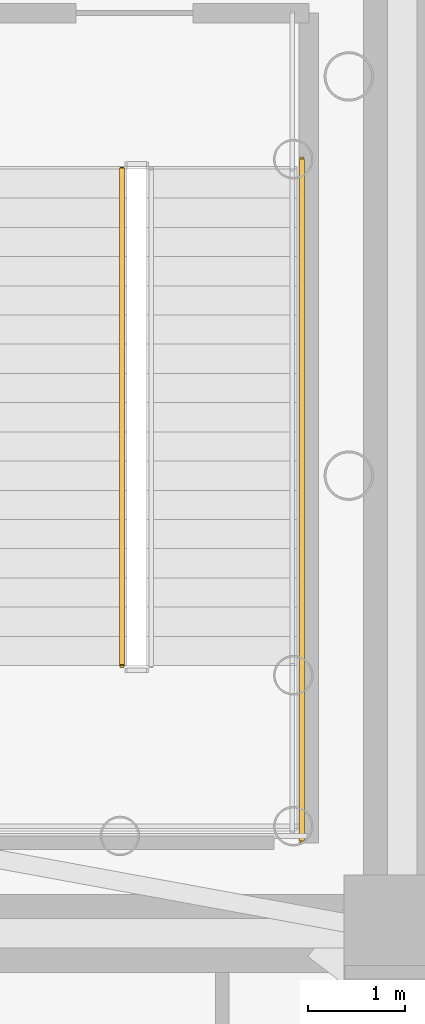
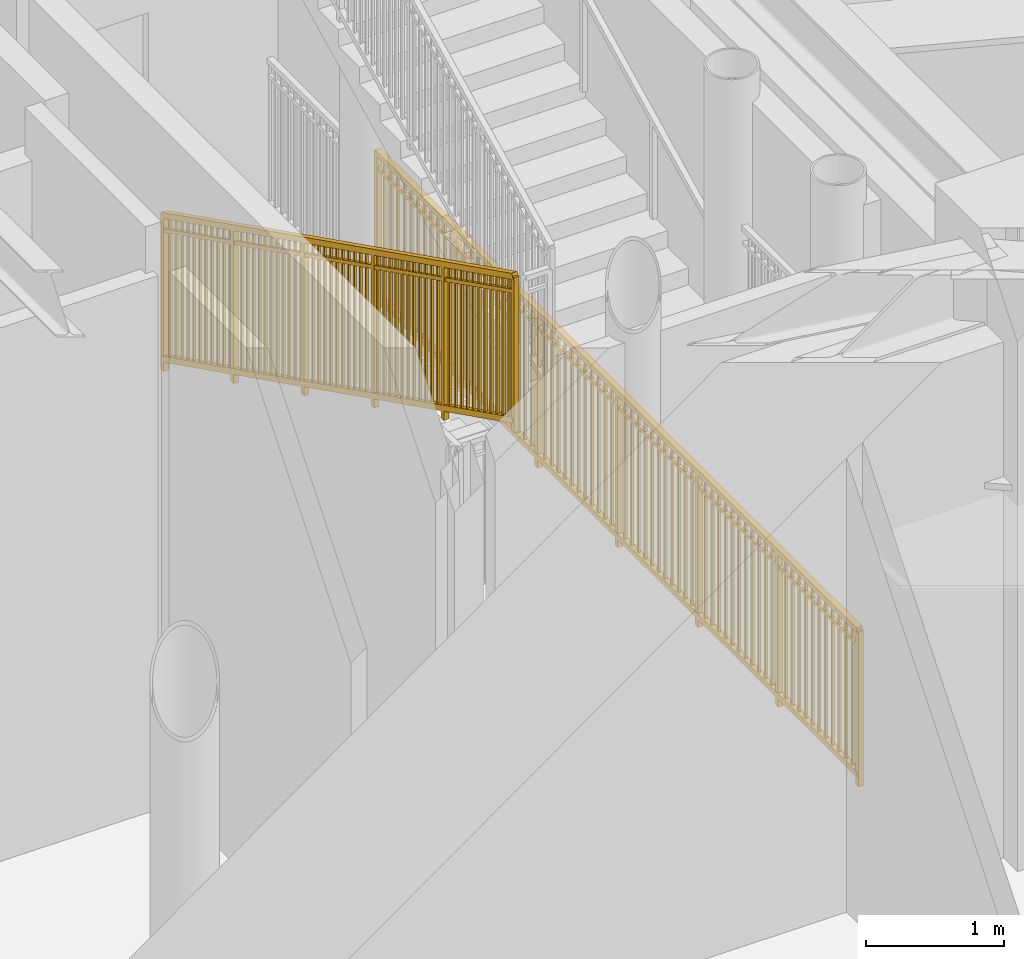
# One storey, part 19 of 20: 2 railings.
"""IFC4 building model written with IfcOpenShell, lengths in metres."""

from ifc_helpers import new_model, si_unit, direction, frame, origin, origin_2d, place, context, subcontext, project, spatial, rectangle, extrude, source, transform, mapped, material, type_object, element, save


model = new_model("IFC4")

# Units and contexts
model_context = context("Model", 3, precision=1e-05, world=origin(), true_north=direction((0.0, 1.0)))
body_context = subcontext(model_context, "Body", "Model", "MODEL_VIEW")
ifc_project = project(units=[si_unit("LENGTHUNIT", "METRE"), si_unit("AREAUNIT", "SQUARE_METRE"), si_unit("VOLUMEUNIT", "CUBIC_METRE"), si_unit("PLANEANGLEUNIT", "RADIAN"), si_unit("MASSUNIT", "GRAM", prefix="KILO")], contexts=[model_context])

# Site, building, storey
site_placement = place(None, origin())
site = spatial("IfcSite", under=ifc_project, at=site_placement, CompositionType="ELEMENT")
building_placement = place(site_placement, origin())
building = spatial("IfcBuilding", under=site, at=building_placement, Name="Linh Dai School and Residence Tower", CompositionType="ELEMENT")
storey_placement = place(building_placement, frame((0.0, 0.0, 204.89990234375)))
storey = spatial("IfcBuildingStorey", under=building, at=storey_placement, Name="L50", CompositionType="ELEMENT", Elevation=204.89990234375)

# Railings
ifc_material = material(Name="Structural Steel S355JR", Category="steel")
railing_type = type_object("IfcRailingType", Name="RL-ST-GUARD-1400", PredefinedType="GUARDRAIL", material=ifc_material)
shared_shape_1 = source(origin(), body_context, "Body", "SweptSolid", [
    extrude(rectangle(XDim=0.048095703125, YDim=0.048095703125, at=origin_2d()), frame((0.0, 0.0, 1.3759765625), z_axis=(0.0, -0.894427191, 0.4472135955), x_axis=(1.0, 0.0, 0.0)), (0.0, 0.0, 1.0), 5.7021484375),
    extrude(rectangle(XDim=0.048095703125, YDim=0.048095703125, at=origin_2d()), frame((0.0, 0.0, 0.10009765625), z_axis=(0.0, -0.894427191, 0.4472135955), x_axis=(1.0, 0.0, 0.0)), (0.0, 0.0, 1.0), 5.7021484375),
    extrude(rectangle(XDim=0.030029296875, YDim=0.030029296875, at=origin_2d()), frame((0.0, 0.0, 1.239990234375), z_axis=(0.0, -0.894427191, 0.4472135955), x_axis=(1.0, 0.0, 0.0)), (0.0, 0.0, 1.0), 5.7021484375),
    extrude(rectangle(XDim=0.02001953125, YDim=0.02001953125, at=origin_2d()), frame((0.0, -0.08642578125, 0.143310546875)), (0.0, 0.0, 1.0), 1.251708984375),
    extrude(rectangle(XDim=0.02001953125, YDim=0.02001953125, at=origin_2d()), frame((0.0, -0.1728515625, 0.1865234375)), (0.0, 0.0, 1.0), 1.251708984375),
    extrude(rectangle(XDim=0.02001953125, YDim=0.02001953125, at=origin_2d()), frame((0.0, -0.25927734375, 0.229736328125)), (0.0, 0.0, 1.0), 1.251708984375),
    extrude(rectangle(XDim=0.02001953125, YDim=0.02001953125, at=origin_2d()), frame((0.0, -0.345703125, 0.27294921875)), (0.0, 0.0, 1.0), 1.251708984375),
    extrude(rectangle(XDim=0.02001953125, YDim=0.02001953125, at=origin_2d()), frame((0.0, -0.43212890625, 0.316162109375)), (0.0, 0.0, 1.0), 1.251708984375),
    extrude(rectangle(XDim=0.02001953125, YDim=0.02001953125, at=origin_2d()), frame((0.0, -0.5185546875, 0.359375)), (0.0, 0.0, 1.0), 1.251708984375),
    extrude(rectangle(XDim=0.02001953125, YDim=0.02001953125, at=origin_2d()), frame((0.0, -0.60498046875, 0.402587890625)), (0.0, 0.0, 1.0), 1.251708984375),
    extrude(rectangle(XDim=0.02001953125, YDim=0.02001953125, at=origin_2d()), frame((0.0, -0.691650390625, 0.44580078125)), (0.0, 0.0, 1.0), 1.251708984375),
    extrude(rectangle(XDim=0.02001953125, YDim=0.02001953125, at=origin_2d()), frame((0.0, -0.778076171875, 0.489013671875)), (0.0, 0.0, 1.0), 1.251708984375),
    extrude(rectangle(XDim=0.02001953125, YDim=0.02001953125, at=origin_2d()), frame((0.0, -0.864501953125, 0.5322265625)), (0.0, 0.0, 1.0), 1.251708984375),
    extrude(rectangle(XDim=0.02001953125, YDim=0.02001953125, at=origin_2d()), frame((0.0, -0.950927734375, 0.575439453125)), (0.0, 0.0, 1.0), 1.251708984375),
    extrude(rectangle(XDim=0.02001953125, YDim=0.02001953125, at=origin_2d()), frame((0.0, -1.123779296875, 0.661865234375)), (0.0, 0.0, 1.0), 1.251708984375),
    extrude(rectangle(XDim=0.02001953125, YDim=0.02001953125, at=origin_2d()), frame((0.0, -1.210205078125, 0.705078125)), (0.0, 0.0, 1.0), 1.251708984375),
    extrude(rectangle(XDim=0.02001953125, YDim=0.02001953125, at=origin_2d()), frame((0.0, -1.296630859375, 0.74853515625)), (0.0, 0.0, 1.0), 1.251708984375),
    extrude(rectangle(XDim=0.02001953125, YDim=0.02001953125, at=origin_2d()), frame((0.0, -1.383056640625, 0.791748046875)), (0.0, 0.0, 1.0), 1.251708984375),
    extrude(rectangle(XDim=0.02001953125, YDim=0.02001953125, at=origin_2d()), frame((0.0, -1.469482421875, 0.8349609375)), (0.0, 0.0, 1.0), 1.251708984375),
    extrude(rectangle(XDim=0.02001953125, YDim=0.02001953125, at=origin_2d()), frame((0.0, -1.555908203125, 0.878173828125)), (0.0, 0.0, 1.0), 1.251708984375),
    extrude(rectangle(XDim=0.02001953125, YDim=0.02001953125, at=origin_2d()), frame((0.0, -1.642333984375, 0.92138671875)), (0.0, 0.0, 1.0), 1.251708984375),
    extrude(rectangle(XDim=0.02001953125, YDim=0.02001953125, at=origin_2d()), frame((0.0, -1.728759765625, 0.964599609375)), (0.0, 0.0, 1.0), 1.251708984375),
    extrude(rectangle(XDim=0.02001953125, YDim=0.02001953125, at=origin_2d()), frame((0.0, -1.815185546875, 1.0078125)), (0.0, 0.0, 1.0), 1.251708984375),
    extrude(rectangle(XDim=0.02001953125, YDim=0.02001953125, at=origin_2d()), frame((0.0, -1.901611328125, 1.051025390625)), (0.0, 0.0, 1.0), 1.251708984375),
    extrude(rectangle(XDim=0.02001953125, YDim=0.02001953125, at=origin_2d()), frame((0.0, -1.98828125, 1.09423828125)), (0.0, 0.0, 1.0), 1.251708984375),
    extrude(rectangle(XDim=0.02001953125, YDim=0.02001953125, at=origin_2d()), frame((0.0, -2.1611328125, 1.1806640625)), (0.0, 0.0, 1.0), 1.251708984375),
    extrude(rectangle(XDim=0.02001953125, YDim=0.02001953125, at=origin_2d()), frame((0.0, -2.24755859375, 1.223876953125)), (0.0, 0.0, 1.0), 1.251708984375),
    extrude(rectangle(XDim=0.02001953125, YDim=0.02001953125, at=origin_2d()), frame((0.0, -2.333984375, 1.26708984375)), (0.0, 0.0, 1.0), 1.251708984375),
    extrude(rectangle(XDim=0.02001953125, YDim=0.02001953125, at=origin_2d()), frame((0.0, -2.42041015625, 1.310302734375)), (0.0, 0.0, 1.0), 1.251708984375),
    extrude(rectangle(XDim=0.02001953125, YDim=0.02001953125, at=origin_2d()), frame((0.0, -2.5068359375, 1.353515625)), (0.0, 0.0, 1.0), 1.251708984375),
    extrude(rectangle(XDim=0.02001953125, YDim=0.02001953125, at=origin_2d()), frame((0.0, -2.59326171875, 1.396728515625)), (0.0, 0.0, 1.0), 1.251708984375),
    extrude(rectangle(XDim=0.02001953125, YDim=0.02001953125, at=origin_2d()), frame((0.0, -2.6796875, 1.43994140625)), (0.0, 0.0, 1.0), 1.251708984375),
    extrude(rectangle(XDim=0.02001953125, YDim=0.02001953125, at=origin_2d()), frame((0.0, -2.76611328125, 1.483154296875)), (0.0, 0.0, 1.0), 1.251708984375),
    extrude(rectangle(XDim=0.02001953125, YDim=0.02001953125, at=origin_2d()), frame((0.0, -2.8525390625, 1.5263671875)), (0.0, 0.0, 1.0), 1.251708984375),
    extrude(rectangle(XDim=0.02001953125, YDim=0.02001953125, at=origin_2d()), frame((0.0, -2.93896484375, 1.569580078125)), (0.0, 0.0, 1.0), 1.251708984375),
    extrude(rectangle(XDim=0.02001953125, YDim=0.02001953125, at=origin_2d()), frame((0.0, -3.11181640625, 1.656005859375)), (0.0, 0.0, 1.0), 1.251708984375),
    extrude(rectangle(XDim=0.02001953125, YDim=0.02001953125, at=origin_2d()), frame((0.0, -3.198486328125, 1.69921875)), (0.0, 0.0, 1.0), 1.251708984375),
    extrude(rectangle(XDim=0.02001953125, YDim=0.02001953125, at=origin_2d()), frame((0.0, -3.284912109375, 1.742431640625)), (0.0, 0.0, 1.0), 1.251708984375),
    extrude(rectangle(XDim=0.02001953125, YDim=0.02001953125, at=origin_2d()), frame((0.0, -3.371337890625, 1.78564453125)), (0.0, 0.0, 1.0), 1.251708984375),
    extrude(rectangle(XDim=0.02001953125, YDim=0.02001953125, at=origin_2d()), frame((0.0, -3.457763671875, 1.828857421875)), (0.0, 0.0, 1.0), 1.251708984375),
    extrude(rectangle(XDim=0.02001953125, YDim=0.02001953125, at=origin_2d()), frame((0.0, -3.544189453125, 1.8720703125)), (0.0, 0.0, 1.0), 1.251708984375),
    extrude(rectangle(XDim=0.02001953125, YDim=0.02001953125, at=origin_2d()), frame((0.0, -3.630615234375, 1.915283203125)), (0.0, 0.0, 1.0), 1.251708984375),
    extrude(rectangle(XDim=0.02001953125, YDim=0.02001953125, at=origin_2d()), frame((0.0, -3.717041015625, 1.95849609375)), (0.0, 0.0, 1.0), 1.251708984375),
    extrude(rectangle(XDim=0.02001953125, YDim=0.02001953125, at=origin_2d()), frame((0.0, -3.803466796875, 2.001708984375)), (0.0, 0.0, 1.0), 1.251708984375),
    extrude(rectangle(XDim=0.02001953125, YDim=0.02001953125, at=origin_2d()), frame((0.0, -3.889892578125, 2.045166015625)), (0.0, 0.0, 1.0), 1.251708984375),
    extrude(rectangle(XDim=0.02001953125, YDim=0.02001953125, at=origin_2d()), frame((0.0, -3.976318359375, 2.08837890625)), (0.0, 0.0, 1.0), 1.251708984375),
    extrude(rectangle(XDim=0.02001953125, YDim=0.02001953125, at=origin_2d()), frame((0.0, -4.149169921875, 2.1748046875)), (0.0, 0.0, 1.0), 1.251708984375),
    extrude(rectangle(XDim=0.02001953125, YDim=0.02001953125, at=origin_2d()), frame((0.0, -4.235595703125, 2.218017578125)), (0.0, 0.0, 1.0), 1.251708984375),
    extrude(rectangle(XDim=0.02001953125, YDim=0.02001953125, at=origin_2d()), frame((0.0, -4.322021484375, 2.26123046875)), (0.0, 0.0, 1.0), 1.251708984375),
    extrude(rectangle(XDim=0.02001953125, YDim=0.02001953125, at=origin_2d()), frame((0.0, -4.408447265625, 2.304443359375)), (0.0, 0.0, 1.0), 1.251708984375),
    extrude(rectangle(XDim=0.02001953125, YDim=0.02001953125, at=origin_2d()), frame((0.0, -4.4951171875, 2.34765625)), (0.0, 0.0, 1.0), 1.251708984375),
    extrude(rectangle(XDim=0.02001953125, YDim=0.02001953125, at=origin_2d()), frame((0.0, -4.58154296875, 2.390869140625)), (0.0, 0.0, 1.0), 1.251708984375),
    extrude(rectangle(XDim=0.02001953125, YDim=0.02001953125, at=origin_2d()), frame((0.0, -4.66796875, 2.43408203125)), (0.0, 0.0, 1.0), 1.251708984375),
    extrude(rectangle(XDim=0.02001953125, YDim=0.02001953125, at=origin_2d()), frame((0.0, -4.75439453125, 2.477294921875)), (0.0, 0.0, 1.0), 1.251708984375),
    extrude(rectangle(XDim=0.02001953125, YDim=0.02001953125, at=origin_2d()), frame((0.0, -4.8408203125, 2.5205078125)), (0.0, 0.0, 1.0), 1.251708984375),
    extrude(rectangle(XDim=0.02001953125, YDim=0.02001953125, at=origin_2d()), frame((0.0, -4.92724609375, 2.563720703125)), (0.0, 0.0, 1.0), 1.251708984375),
    extrude(rectangle(XDim=0.02001953125, YDim=0.02001953125, at=origin_2d()), frame((0.0, -5.013671875, 2.60693359375)), (0.0, 0.0, 1.0), 1.251708984375),
    extrude(rectangle(XDim=0.0419921875, YDim=0.0419921875, at=origin_2d()), origin(), (0.0, 0.0, 1.0), 1.3759765625),
    extrude(rectangle(XDim=0.0419921875, YDim=0.0419921875, at=origin_2d()), frame((0.0, -1.02001953125, 0.510009765625)), (0.0, 0.0, 1.0), 1.3759765625),
    extrude(rectangle(XDim=0.0419921875, YDim=0.0419921875, at=origin_2d()), frame((0.0, -2.0400390625, 1.02001953125)), (0.0, 0.0, 1.0), 1.3759765625),
    extrude(rectangle(XDim=0.0419921875, YDim=0.0419921875, at=origin_2d()), frame((0.0, -3.06005859375, 1.530029296875)), (0.0, 0.0, 1.0), 1.3759765625),
    extrude(rectangle(XDim=0.0419921875, YDim=0.0419921875, at=origin_2d()), frame((0.0, -4.080078125, 2.0400390625)), (0.0, 0.0, 1.0), 1.3759765625),
    extrude(rectangle(XDim=0.0419921875, YDim=0.0419921875, at=origin_2d()), frame((0.0, -5.10009765625, 2.550048828125)), (0.0, 0.0, 1.0), 1.3759765625),
])
railing_1_placement = place(storey_placement, frame((42.52001953125, 28.25, 0.150146484375)))
element("IfcRailing", 1, at=railing_1_placement, inside=storey, type_object=railing_type, Name="L50 ST2 stair guard 1", PredefinedType="GUARDRAIL", context=body_context, shape_type="MappedRepresentation", body=[
    mapped(shared_shape_1, transform((0.0, 0.0, 0.0), x_axis=(1.0, 0.0, 0.0), y_axis=(0.0, 1.0, 0.0), z_axis=(0.0, 0.0, 1.0), scale=1.0)),
])
shared_shape_2 = source(origin(), body_context, "Body", "SweptSolid", [
    extrude(rectangle(XDim=0.048095703125, YDim=0.048095703125, at=origin_2d()), frame((0.0, 0.0, 1.3759765625), z_axis=(0.0, -1.0, 0.0), x_axis=(1.0, 0.0, 0.0)), (0.0, 0.0, 1.0), 7.0),
    extrude(rectangle(XDim=0.048095703125, YDim=0.048095703125, at=origin_2d()), frame((0.0, 0.0, 0.10009765625), z_axis=(0.0, -1.0, 0.0), x_axis=(1.0, 0.0, 0.0)), (0.0, 0.0, 1.0), 7.0),
    extrude(rectangle(XDim=0.030029296875, YDim=0.030029296875, at=origin_2d()), frame((0.0, 0.0, 1.239990234375), z_axis=(0.0, -1.0, 0.0), x_axis=(1.0, 0.0, 0.0)), (0.0, 0.0, 1.0), 7.0),
    extrude(rectangle(XDim=0.02001953125, YDim=0.02001953125, at=origin_2d()), frame((0.0, -0.09716796875, 0.10009765625)), (0.0, 0.0, 1.0), 1.251708984375),
    extrude(rectangle(XDim=0.02001953125, YDim=0.02001953125, at=origin_2d()), frame((0.0, -0.1943359375, 0.10009765625)), (0.0, 0.0, 1.0), 1.251708984375),
    extrude(rectangle(XDim=0.02001953125, YDim=0.02001953125, at=origin_2d()), frame((0.0, -0.291748046875, 0.10009765625)), (0.0, 0.0, 1.0), 1.251708984375),
    extrude(rectangle(XDim=0.02001953125, YDim=0.02001953125, at=origin_2d()), frame((0.0, -0.388916015625, 0.10009765625)), (0.0, 0.0, 1.0), 1.251708984375),
    extrude(rectangle(XDim=0.02001953125, YDim=0.02001953125, at=origin_2d()), frame((0.0, -0.486083984375, 0.10009765625)), (0.0, 0.0, 1.0), 1.251708984375),
    extrude(rectangle(XDim=0.02001953125, YDim=0.02001953125, at=origin_2d()), frame((0.0, -0.583251953125, 0.10009765625)), (0.0, 0.0, 1.0), 1.251708984375),
    extrude(rectangle(XDim=0.02001953125, YDim=0.02001953125, at=origin_2d()), frame((0.0, -0.6806640625, 0.10009765625)), (0.0, 0.0, 1.0), 1.251708984375),
    extrude(rectangle(XDim=0.02001953125, YDim=0.02001953125, at=origin_2d()), frame((0.0, -0.77783203125, 0.10009765625)), (0.0, 0.0, 1.0), 1.251708984375),
    extrude(rectangle(XDim=0.02001953125, YDim=0.02001953125, at=origin_2d()), frame((0.0, -0.875, 0.10009765625)), (0.0, 0.0, 1.0), 1.251708984375),
    extrude(rectangle(XDim=0.02001953125, YDim=0.02001953125, at=origin_2d()), frame((0.0, -0.97216796875, 0.10009765625)), (0.0, 0.0, 1.0), 1.251708984375),
    extrude(rectangle(XDim=0.02001953125, YDim=0.02001953125, at=origin_2d()), frame((0.0, -1.0693359375, 0.10009765625)), (0.0, 0.0, 1.0), 1.251708984375),
    extrude(rectangle(XDim=0.02001953125, YDim=0.02001953125, at=origin_2d()), frame((0.0, -1.263916015625, 0.10009765625)), (0.0, 0.0, 1.0), 1.251708984375),
    extrude(rectangle(XDim=0.02001953125, YDim=0.02001953125, at=origin_2d()), frame((0.0, -1.361083984375, 0.10009765625)), (0.0, 0.0, 1.0), 1.251708984375),
    extrude(rectangle(XDim=0.02001953125, YDim=0.02001953125, at=origin_2d()), frame((0.0, -1.458251953125, 0.10009765625)), (0.0, 0.0, 1.0), 1.251708984375),
    extrude(rectangle(XDim=0.02001953125, YDim=0.02001953125, at=origin_2d()), frame((0.0, -1.5556640625, 0.10009765625)), (0.0, 0.0, 1.0), 1.251708984375),
    extrude(rectangle(XDim=0.02001953125, YDim=0.02001953125, at=origin_2d()), frame((0.0, -1.65283203125, 0.10009765625)), (0.0, 0.0, 1.0), 1.251708984375),
    extrude(rectangle(XDim=0.02001953125, YDim=0.02001953125, at=origin_2d()), frame((0.0, -1.75, 0.10009765625)), (0.0, 0.0, 1.0), 1.251708984375),
    extrude(rectangle(XDim=0.02001953125, YDim=0.02001953125, at=origin_2d()), frame((0.0, -1.84716796875, 0.10009765625)), (0.0, 0.0, 1.0), 1.251708984375),
    extrude(rectangle(XDim=0.02001953125, YDim=0.02001953125, at=origin_2d()), frame((0.0, -1.9443359375, 0.10009765625)), (0.0, 0.0, 1.0), 1.251708984375),
    extrude(rectangle(XDim=0.02001953125, YDim=0.02001953125, at=origin_2d()), frame((0.0, -2.041748046875, 0.10009765625)), (0.0, 0.0, 1.0), 1.251708984375),
    extrude(rectangle(XDim=0.02001953125, YDim=0.02001953125, at=origin_2d()), frame((0.0, -2.138916015625, 0.10009765625)), (0.0, 0.0, 1.0), 1.251708984375),
    extrude(rectangle(XDim=0.02001953125, YDim=0.02001953125, at=origin_2d()), frame((0.0, -2.236083984375, 0.10009765625)), (0.0, 0.0, 1.0), 1.251708984375),
    extrude(rectangle(XDim=0.02001953125, YDim=0.02001953125, at=origin_2d()), frame((0.0, -2.4306640625, 0.10009765625)), (0.0, 0.0, 1.0), 1.251708984375),
    extrude(rectangle(XDim=0.02001953125, YDim=0.02001953125, at=origin_2d()), frame((0.0, -2.52783203125, 0.10009765625)), (0.0, 0.0, 1.0), 1.251708984375),
    extrude(rectangle(XDim=0.02001953125, YDim=0.02001953125, at=origin_2d()), frame((0.0, -2.625, 0.10009765625)), (0.0, 0.0, 1.0), 1.251708984375),
    extrude(rectangle(XDim=0.02001953125, YDim=0.02001953125, at=origin_2d()), frame((0.0, -2.72216796875, 0.10009765625)), (0.0, 0.0, 1.0), 1.251708984375),
    extrude(rectangle(XDim=0.02001953125, YDim=0.02001953125, at=origin_2d()), frame((0.0, -2.8193359375, 0.10009765625)), (0.0, 0.0, 1.0), 1.251708984375),
    extrude(rectangle(XDim=0.02001953125, YDim=0.02001953125, at=origin_2d()), frame((0.0, -2.916748046875, 0.10009765625)), (0.0, 0.0, 1.0), 1.251708984375),
    extrude(rectangle(XDim=0.02001953125, YDim=0.02001953125, at=origin_2d()), frame((0.0, -3.013916015625, 0.10009765625)), (0.0, 0.0, 1.0), 1.251708984375),
    extrude(rectangle(XDim=0.02001953125, YDim=0.02001953125, at=origin_2d()), frame((0.0, -3.111083984375, 0.10009765625)), (0.0, 0.0, 1.0), 1.251708984375),
    extrude(rectangle(XDim=0.02001953125, YDim=0.02001953125, at=origin_2d()), frame((0.0, -3.208251953125, 0.10009765625)), (0.0, 0.0, 1.0), 1.251708984375),
    extrude(rectangle(XDim=0.02001953125, YDim=0.02001953125, at=origin_2d()), frame((0.0, -3.3056640625, 0.10009765625)), (0.0, 0.0, 1.0), 1.251708984375),
    extrude(rectangle(XDim=0.02001953125, YDim=0.02001953125, at=origin_2d()), frame((0.0, -3.40283203125, 0.10009765625)), (0.0, 0.0, 1.0), 1.251708984375),
    extrude(rectangle(XDim=0.02001953125, YDim=0.02001953125, at=origin_2d()), frame((0.0, -3.59716796875, 0.10009765625)), (0.0, 0.0, 1.0), 1.251708984375),
    extrude(rectangle(XDim=0.02001953125, YDim=0.02001953125, at=origin_2d()), frame((0.0, -3.6943359375, 0.10009765625)), (0.0, 0.0, 1.0), 1.251708984375),
    extrude(rectangle(XDim=0.02001953125, YDim=0.02001953125, at=origin_2d()), frame((0.0, -3.791748046875, 0.10009765625)), (0.0, 0.0, 1.0), 1.251708984375),
    extrude(rectangle(XDim=0.02001953125, YDim=0.02001953125, at=origin_2d()), frame((0.0, -3.888916015625, 0.10009765625)), (0.0, 0.0, 1.0), 1.251708984375),
    extrude(rectangle(XDim=0.02001953125, YDim=0.02001953125, at=origin_2d()), frame((0.0, -3.986083984375, 0.10009765625)), (0.0, 0.0, 1.0), 1.251708984375),
    extrude(rectangle(XDim=0.02001953125, YDim=0.02001953125, at=origin_2d()), frame((0.0, -4.083251953125, 0.10009765625)), (0.0, 0.0, 1.0), 1.251708984375),
    extrude(rectangle(XDim=0.02001953125, YDim=0.02001953125, at=origin_2d()), frame((0.0, -4.1806640625, 0.10009765625)), (0.0, 0.0, 1.0), 1.251708984375),
    extrude(rectangle(XDim=0.02001953125, YDim=0.02001953125, at=origin_2d()), frame((0.0, -4.27783203125, 0.10009765625)), (0.0, 0.0, 1.0), 1.251708984375),
    extrude(rectangle(XDim=0.02001953125, YDim=0.02001953125, at=origin_2d()), frame((0.0, -4.375, 0.10009765625)), (0.0, 0.0, 1.0), 1.251708984375),
    extrude(rectangle(XDim=0.02001953125, YDim=0.02001953125, at=origin_2d()), frame((0.0, -4.47216796875, 0.10009765625)), (0.0, 0.0, 1.0), 1.251708984375),
    extrude(rectangle(XDim=0.02001953125, YDim=0.02001953125, at=origin_2d()), frame((0.0, -4.5693359375, 0.10009765625)), (0.0, 0.0, 1.0), 1.251708984375),
    extrude(rectangle(XDim=0.02001953125, YDim=0.02001953125, at=origin_2d()), frame((0.0, -4.763916015625, 0.10009765625)), (0.0, 0.0, 1.0), 1.251708984375),
    extrude(rectangle(XDim=0.02001953125, YDim=0.02001953125, at=origin_2d()), frame((0.0, -4.861083984375, 0.10009765625)), (0.0, 0.0, 1.0), 1.251708984375),
    extrude(rectangle(XDim=0.02001953125, YDim=0.02001953125, at=origin_2d()), frame((0.0, -4.958251953125, 0.10009765625)), (0.0, 0.0, 1.0), 1.251708984375),
    extrude(rectangle(XDim=0.02001953125, YDim=0.02001953125, at=origin_2d()), frame((0.0, -5.0556640625, 0.10009765625)), (0.0, 0.0, 1.0), 1.251708984375),
    extrude(rectangle(XDim=0.02001953125, YDim=0.02001953125, at=origin_2d()), frame((0.0, -5.15283203125, 0.10009765625)), (0.0, 0.0, 1.0), 1.251708984375),
    extrude(rectangle(XDim=0.02001953125, YDim=0.02001953125, at=origin_2d()), frame((0.0, -5.25, 0.10009765625)), (0.0, 0.0, 1.0), 1.251708984375),
    extrude(rectangle(XDim=0.02001953125, YDim=0.02001953125, at=origin_2d()), frame((0.0, -5.34716796875, 0.10009765625)), (0.0, 0.0, 1.0), 1.251708984375),
    extrude(rectangle(XDim=0.02001953125, YDim=0.02001953125, at=origin_2d()), frame((0.0, -5.4443359375, 0.10009765625)), (0.0, 0.0, 1.0), 1.251708984375),
    extrude(rectangle(XDim=0.02001953125, YDim=0.02001953125, at=origin_2d()), frame((0.0, -5.541748046875, 0.10009765625)), (0.0, 0.0, 1.0), 1.251708984375),
    extrude(rectangle(XDim=0.02001953125, YDim=0.02001953125, at=origin_2d()), frame((0.0, -5.638916015625, 0.10009765625)), (0.0, 0.0, 1.0), 1.251708984375),
    extrude(rectangle(XDim=0.02001953125, YDim=0.02001953125, at=origin_2d()), frame((0.0, -5.736083984375, 0.10009765625)), (0.0, 0.0, 1.0), 1.251708984375),
    extrude(rectangle(XDim=0.02001953125, YDim=0.02001953125, at=origin_2d()), frame((0.0, -5.9306640625, 0.10009765625)), (0.0, 0.0, 1.0), 1.251708984375),
    extrude(rectangle(XDim=0.02001953125, YDim=0.02001953125, at=origin_2d()), frame((0.0, -6.02783203125, 0.10009765625)), (0.0, 0.0, 1.0), 1.251708984375),
    extrude(rectangle(XDim=0.02001953125, YDim=0.02001953125, at=origin_2d()), frame((0.0, -6.125, 0.10009765625)), (0.0, 0.0, 1.0), 1.251708984375),
    extrude(rectangle(XDim=0.02001953125, YDim=0.02001953125, at=origin_2d()), frame((0.0, -6.22216796875, 0.10009765625)), (0.0, 0.0, 1.0), 1.251708984375),
    extrude(rectangle(XDim=0.02001953125, YDim=0.02001953125, at=origin_2d()), frame((0.0, -6.3193359375, 0.10009765625)), (0.0, 0.0, 1.0), 1.251708984375),
    extrude(rectangle(XDim=0.02001953125, YDim=0.02001953125, at=origin_2d()), frame((0.0, -6.416748046875, 0.10009765625)), (0.0, 0.0, 1.0), 1.251708984375),
    extrude(rectangle(XDim=0.02001953125, YDim=0.02001953125, at=origin_2d()), frame((0.0, -6.513916015625, 0.10009765625)), (0.0, 0.0, 1.0), 1.251708984375),
    extrude(rectangle(XDim=0.02001953125, YDim=0.02001953125, at=origin_2d()), frame((0.0, -6.611083984375, 0.10009765625)), (0.0, 0.0, 1.0), 1.251708984375),
    extrude(rectangle(XDim=0.02001953125, YDim=0.02001953125, at=origin_2d()), frame((0.0, -6.708251953125, 0.10009765625)), (0.0, 0.0, 1.0), 1.251708984375),
    extrude(rectangle(XDim=0.02001953125, YDim=0.02001953125, at=origin_2d()), frame((0.0, -6.8056640625, 0.10009765625)), (0.0, 0.0, 1.0), 1.251708984375),
    extrude(rectangle(XDim=0.02001953125, YDim=0.02001953125, at=origin_2d()), frame((0.0, -6.90283203125, 0.10009765625)), (0.0, 0.0, 1.0), 1.251708984375),
    extrude(rectangle(XDim=0.0419921875, YDim=0.0419921875, at=origin_2d()), origin(), (0.0, 0.0, 1.0), 1.3759765625),
    extrude(rectangle(XDim=0.0419921875, YDim=0.0419921875, at=origin_2d()), frame((0.0, -1.166748046875, 0.0)), (0.0, 0.0, 1.0), 1.3759765625),
    extrude(rectangle(XDim=0.0419921875, YDim=0.0419921875, at=origin_2d()), frame((0.0, -2.333251953125, 0.0)), (0.0, 0.0, 1.0), 1.3759765625),
    extrude(rectangle(XDim=0.0419921875, YDim=0.0419921875, at=origin_2d()), frame((0.0, -3.5, 0.0)), (0.0, 0.0, 1.0), 1.3759765625),
    extrude(rectangle(XDim=0.0419921875, YDim=0.0419921875, at=origin_2d()), frame((0.0, -4.666748046875, 0.0)), (0.0, 0.0, 1.0), 1.3759765625),
    extrude(rectangle(XDim=0.0419921875, YDim=0.0419921875, at=origin_2d()), frame((0.0, -5.833251953125, 0.0)), (0.0, 0.0, 1.0), 1.3759765625),
    extrude(rectangle(XDim=0.0419921875, YDim=0.0419921875, at=origin_2d()), frame((0.0, -7.0, 0.0)), (0.0, 0.0, 1.0), 1.3759765625),
])
railing_2_placement = place(storey_placement, frame((44.3701171875, 28.35009765625, 0.0)))
element("IfcRailing", 2, at=railing_2_placement, inside=storey, type_object=railing_type, Name="L50 ST2 stair guard 11", PredefinedType="GUARDRAIL", context=body_context, shape_type="MappedRepresentation", body=[
    mapped(shared_shape_2, transform((0.0, 0.0, 0.0), x_axis=(1.0, 0.0, 0.0), y_axis=(0.0, 1.0, 0.0), z_axis=(0.0, 0.0, 1.0), scale=1.0)),
])

save(model, "model.ifc")
